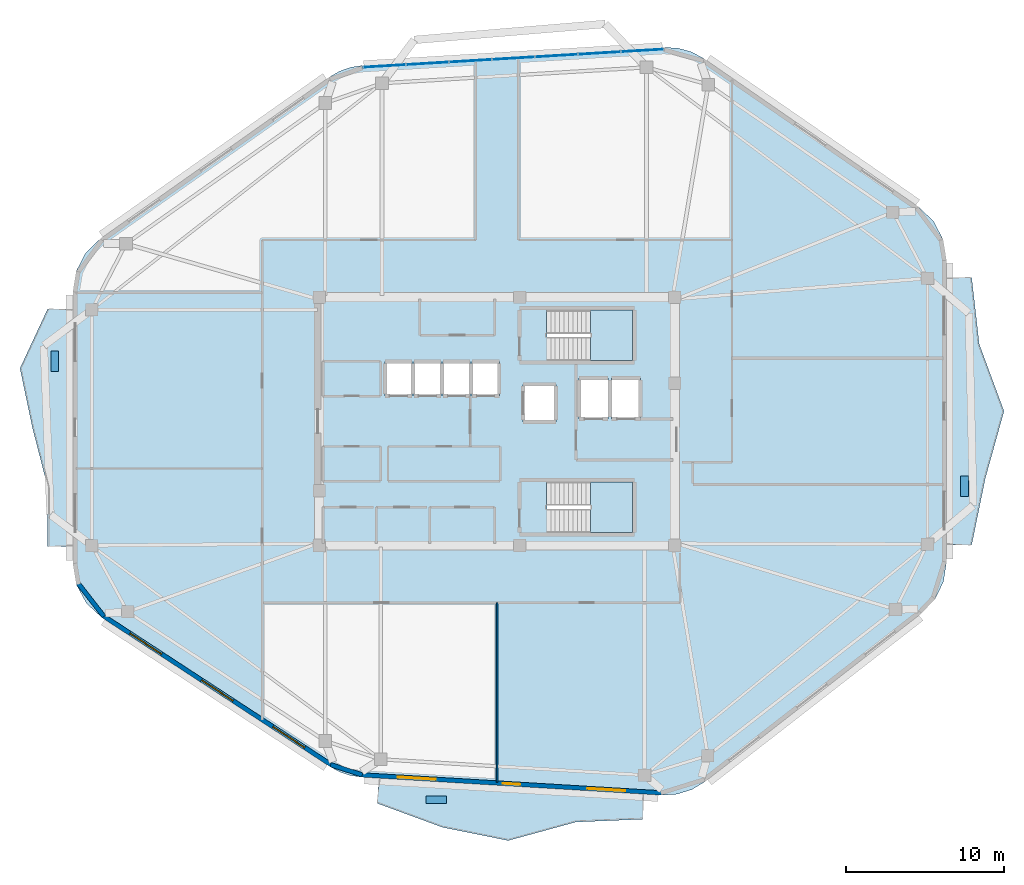
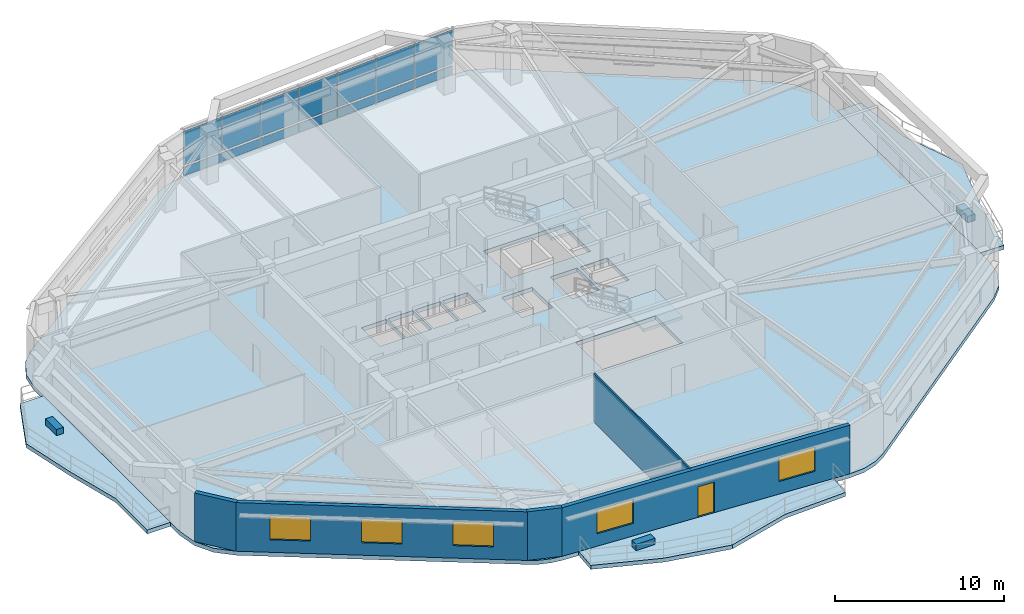
# One storey, part 5 of 12: 17 plates, 6 slabs, 5 walls, 5 windows, 1 door, 6 openings, 3 elements without a shape of their own.
"""IFC4 building model written with IfcOpenShell, lengths in metres."""

from ifc_helpers import new_model, si_unit, direction, frame, frame_2d, origin, origin_2d, place, context, subcontext, project, spatial, polyline, rectangle, outline, extrude, material, layer, layer_set, type_object, element, fill, aggregate, save


model = new_model("IFC4")

# Units and contexts
model_context = context("Model", 3, precision=1e-05, world=origin(), true_north=direction((0.0, 1.0)))
body_context = subcontext(model_context, "Body", "Model", "MODEL_VIEW")
ifc_project = project(units=[si_unit("LENGTHUNIT", "METRE"), si_unit("AREAUNIT", "SQUARE_METRE"), si_unit("VOLUMEUNIT", "CUBIC_METRE"), si_unit("PLANEANGLEUNIT", "RADIAN"), si_unit("MASSUNIT", "GRAM", prefix="KILO")], contexts=[model_context])

# Site, building, storey
site_placement = place(None, origin())
site = spatial("IfcSite", under=ifc_project, at=site_placement, CompositionType="ELEMENT")
building_placement = place(site_placement, origin())
building = spatial("IfcBuilding", under=site, at=building_placement, Name="Zulverin Broadcast Headquarters", CompositionType="ELEMENT")
storey_placement = place(building_placement, frame((0.0, 0.0, 263.0)))
storey = spatial("IfcBuildingStorey", under=building, at=storey_placement, Name="L67", CompositionType="ELEMENT", Elevation=263.0)

# Curtain wall, plates
ifc_material_1 = material(Name="High-zone solar-control unitised curtain wall", Category="aluminium")
curtain_wall_type = type_object("IfcCurtainWallType", Name="CW-TWR-UPP", PredefinedType="USERDEFINED", material=ifc_material_1)
curtain_wall_placement = place(storey_placement, origin())
curtain_wall = element("IfcCurtainWall", 1, at=curtain_wall_placement, inside=storey, type_object=curtain_wall_type, Name="L67 Unitised Curtain Wall CW-L67-E5", ObjectType="UNITISED CURTAIN WALL", PredefinedType="USERDEFINED")
ifc_material_2 = material(Name="Low-E double-glazed pale-silver vision glass", Category="glass")
ifc_layer_1 = layer(ifc_material_2, 0.035888671875, Name="Low-E double-glazed pale-silver vision glass", Category="glass")
ifc_layer_set_1 = layer_set([ifc_layer_1], Name="Low-E double-glazed pale-silver vision glass")
plate_type_1 = type_object("IfcPlateType", Name="CW-PNL-GLZ", PredefinedType="CURTAIN_PANEL", material=ifc_layer_set_1)
plate_1_placement = place(storey_placement, frame((46.201904296875, 48.713623046875, 0.9072265625), z_axis=(0.0, 0.0, 1.0), x_axis=(-0.99820257679, -0.059930090026, 0.0)))
plate_1 = element("IfcPlate", 2, at=plate_1_placement, type_object=plate_type_1, Name="CW-L67-E5 Vision Panel 00", PredefinedType="CURTAIN_PANEL", context=body_context, shape_type="SweptSolid", body=[
    extrude(rectangle(XDim=2.690185546875, YDim=0.035888671875, at=origin_2d()), origin(), (0.0, 0.0, 1.0), 2.462646484375),
])
plate_2_placement = place(storey_placement, frame((43.476806640625, 48.550048828125, 0.9072265625), z_axis=(0.0, 0.0, 1.0), x_axis=(-0.99820257679, -0.059930090026, 0.0)))
plate_2 = element("IfcPlate", 3, at=plate_2_placement, type_object=plate_type_1, Name="CW-L67-E5 Vision Panel 01", PredefinedType="CURTAIN_PANEL", context=body_context, shape_type="SweptSolid", body=[
    extrude(rectangle(XDim=2.690185546875, YDim=0.035888671875, at=origin_2d()), origin(), (0.0, 0.0, 1.0), 2.462646484375),
])
plate_3_placement = place(storey_placement, frame((40.751708984375, 48.386474609375, 0.9072265625), z_axis=(0.0, 0.0, 1.0), x_axis=(-0.99820257679, -0.059930090026, 0.0)))
plate_3 = element("IfcPlate", 4, at=plate_3_placement, type_object=plate_type_1, Name="CW-L67-E5 Vision Panel 02", PredefinedType="CURTAIN_PANEL", context=body_context, shape_type="SweptSolid", body=[
    extrude(rectangle(XDim=2.690185546875, YDim=0.035888671875, at=origin_2d()), origin(), (0.0, 0.0, 1.0), 2.462646484375),
])
plate_4_placement = place(storey_placement, frame((38.0263671875, 48.222900390625, 0.9072265625), z_axis=(0.0, 0.0, 1.0), x_axis=(-0.99820257679, -0.059930090026, 0.0)))
plate_4 = element("IfcPlate", 5, at=plate_4_placement, type_object=plate_type_1, Name="CW-L67-E5 Vision Panel 03", PredefinedType="CURTAIN_PANEL", context=body_context, shape_type="SweptSolid", body=[
    extrude(rectangle(XDim=2.690185546875, YDim=0.035888671875, at=origin_2d()), origin(), (0.0, 0.0, 1.0), 2.462646484375),
])
plate_5_placement = place(storey_placement, frame((35.301025390625, 48.05908203125, 0.9072265625), z_axis=(0.0, 0.0, 1.0), x_axis=(-0.99820257679, -0.059930090026, 0.0)))
plate_5 = element("IfcPlate", 6, at=plate_5_placement, type_object=plate_type_1, Name="CW-L67-E5 Vision Panel 04", PredefinedType="CURTAIN_PANEL", context=body_context, shape_type="SweptSolid", body=[
    extrude(rectangle(XDim=2.690185546875, YDim=0.035888671875, at=origin_2d()), origin(), (0.0, 0.0, 1.0), 2.462646484375),
])
plate_6_placement = place(storey_placement, frame((32.575927734375, 47.8955078125, 0.9072265625), z_axis=(0.0, 0.0, 1.0), x_axis=(-0.99820257679, -0.059930090026, 0.0)))
plate_6 = element("IfcPlate", 7, at=plate_6_placement, type_object=plate_type_1, Name="CW-L67-E5 Vision Panel 05", PredefinedType="CURTAIN_PANEL", context=body_context, shape_type="SweptSolid", body=[
    extrude(rectangle(XDim=2.690185546875, YDim=0.035888671875, at=origin_2d()), origin(), (0.0, 0.0, 1.0), 2.462646484375),
])
plate_7_placement = place(storey_placement, frame((29.8505859375, 47.73193359375, 0.9072265625), z_axis=(0.0, 0.0, 1.0), x_axis=(-0.99820257679, -0.059930090026, 0.0)))
plate_7 = element("IfcPlate", 8, at=plate_7_placement, type_object=plate_type_1, Name="CW-L67-E5 Vision Panel 06", PredefinedType="CURTAIN_PANEL", context=body_context, shape_type="SweptSolid", body=[
    extrude(rectangle(XDim=2.690185546875, YDim=0.035888671875, at=origin_2d()), origin(), (0.0, 0.0, 1.0), 2.462646484375),
])
ifc_material_3 = material(Name="Insulated brushed pale-aluminium spandrel cassette", Category="aluminium")
ifc_layer_2 = layer(ifc_material_3, 0.050048828125, Name="Insulated brushed pale-aluminium spandrel cassette", Category="aluminium")
ifc_layer_set_2 = layer_set([ifc_layer_2], Name="Insulated brushed pale-aluminium spandrel cassette")
plate_type_2 = type_object("IfcPlateType", Name="CW-PNL-SPN", PredefinedType="CURTAIN_PANEL", material=ifc_layer_set_2)
plate_8_placement = place(storey_placement, frame((46.201904296875, 48.713623046875, 0.14013671875), z_axis=(0.0, 0.0, 1.0), x_axis=(-0.99820257679, -0.059930090026, 0.0)))
plate_8 = element("IfcPlate", 9, at=plate_8_placement, type_object=plate_type_2, Name="CW-L67-E5 Spandrel Cassette 00", PredefinedType="CURTAIN_PANEL", context=body_context, shape_type="SweptSolid", body=[
    extrude(rectangle(XDim=2.690185546875, YDim=0.050048828125, at=origin_2d()), origin(), (0.0, 0.0, 1.0), 0.637451171875),
])
plate_9_placement = place(storey_placement, frame((43.476806640625, 48.550048828125, 0.14013671875), z_axis=(0.0, 0.0, 1.0), x_axis=(-0.99820257679, -0.059930090026, 0.0)))
plate_9 = element("IfcPlate", 10, at=plate_9_placement, type_object=plate_type_2, Name="CW-L67-E5 Spandrel Cassette 01", PredefinedType="CURTAIN_PANEL", context=body_context, shape_type="SweptSolid", body=[
    extrude(rectangle(XDim=2.690185546875, YDim=0.050048828125, at=origin_2d()), origin(), (0.0, 0.0, 1.0), 0.637451171875),
])
plate_10_placement = place(storey_placement, frame((40.751708984375, 48.386474609375, 0.14013671875), z_axis=(0.0, 0.0, 1.0), x_axis=(-0.99820257679, -0.059930090026, 0.0)))
plate_10 = element("IfcPlate", 11, at=plate_10_placement, type_object=plate_type_2, Name="CW-L67-E5 Spandrel Cassette 02", PredefinedType="CURTAIN_PANEL", context=body_context, shape_type="SweptSolid", body=[
    extrude(rectangle(XDim=2.690185546875, YDim=0.050048828125, at=origin_2d()), origin(), (0.0, 0.0, 1.0), 0.637451171875),
])
plate_11_placement = place(storey_placement, frame((38.0263671875, 48.222900390625, 0.14013671875), z_axis=(0.0, 0.0, 1.0), x_axis=(-0.99820257679, -0.059930090026, 0.0)))
plate_11 = element("IfcPlate", 12, at=plate_11_placement, type_object=plate_type_2, Name="CW-L67-E5 Spandrel Cassette 03", PredefinedType="CURTAIN_PANEL", context=body_context, shape_type="SweptSolid", body=[
    extrude(rectangle(XDim=2.690185546875, YDim=0.050048828125, at=origin_2d()), origin(), (0.0, 0.0, 1.0), 0.637451171875),
])
plate_12_placement = place(storey_placement, frame((35.301025390625, 48.05908203125, 0.14013671875), z_axis=(0.0, 0.0, 1.0), x_axis=(-0.99820257679, -0.059930090026, 0.0)))
plate_12 = element("IfcPlate", 13, at=plate_12_placement, type_object=plate_type_2, Name="CW-L67-E5 Spandrel Cassette 04", PredefinedType="CURTAIN_PANEL", context=body_context, shape_type="SweptSolid", body=[
    extrude(rectangle(XDim=2.690185546875, YDim=0.050048828125, at=origin_2d()), origin(), (0.0, 0.0, 1.0), 0.637451171875),
])
plate_13_placement = place(storey_placement, frame((32.575927734375, 47.8955078125, 0.14013671875), z_axis=(0.0, 0.0, 1.0), x_axis=(-0.99820257679, -0.059930090026, 0.0)))
plate_13 = element("IfcPlate", 14, at=plate_13_placement, type_object=plate_type_2, Name="CW-L67-E5 Spandrel Cassette 05", PredefinedType="CURTAIN_PANEL", context=body_context, shape_type="SweptSolid", body=[
    extrude(rectangle(XDim=2.690185546875, YDim=0.050048828125, at=origin_2d()), origin(), (0.0, 0.0, 1.0), 0.637451171875),
])
plate_14_placement = place(storey_placement, frame((29.8505859375, 47.73193359375, 0.14013671875), z_axis=(0.0, 0.0, 1.0), x_axis=(-0.99820257679, -0.059930090026, 0.0)))
plate_14 = element("IfcPlate", 15, at=plate_14_placement, type_object=plate_type_2, Name="CW-L67-E5 Spandrel Cassette 06", PredefinedType="CURTAIN_PANEL", context=body_context, shape_type="SweptSolid", body=[
    extrude(rectangle(XDim=2.690185546875, YDim=0.050048828125, at=origin_2d()), origin(), (0.0, 0.0, 1.0), 0.637451171875),
])
aggregate(curtain_wall, [plate_8, plate_1, plate_9, plate_2, plate_10, plate_3, plate_11, plate_4, plate_12, plate_5, plate_13, plate_6, plate_14, plate_7])

# Plates
ifc_material_4 = material(Name="Precast concrete C45/55", Category="concrete")
ifc_layer_3 = layer(ifc_material_4, 0.449951171875, Name="Precast concrete C45/55", Category="concrete")
ifc_layer_set_3 = layer_set([ifc_layer_3], Name="Precast concrete C45/55")
plate_type_3 = type_object("IfcPlateType", Name="PT-01_PRECAST_GFRC_TREE_PLANTER", PredefinedType="USERDEFINED", material=ifc_layer_set_3)
for number, where, z_axis, x_axis, name in (
    (16, (66.64990234375, 21.0908203125, -0.0048828125), (0.0, 0.0, 1.0), (0.0, 1.0, 0.0), "L67 Precast GFRC Tree Planter BAL_E"),
    (17, (33.1337890625, 1.19873046875, -0.0048828125), (0.0, 0.0, 1.0), (1.0, 0.0, 0.0), "L67 Precast GFRC Tree Planter BAL_S"),
    (18, (8.949951171875, 29.0126953125, -0.0048828125), (0.0, 0.0, 1.0), (0.0, 1.0, 0.0), "L67 Precast GFRC Tree Planter BAL_W"),
):
    element("IfcPlate", number, at=place(storey_placement, frame(where, z_axis=z_axis, x_axis=x_axis)), inside=storey, type_object=plate_type_3, Name=name, ObjectType="PLANTER", PredefinedType="USERDEFINED", context=body_context, shape_type="SweptSolid", body=[
        extrude(rectangle(XDim=1.300048828125, YDim=0.5, at=origin_2d()), origin(), (0.0, 0.0, 1.0), 0.449951171875),
    ])

# Slabs
ifc_material_5 = material(Name="Concrete C40/50", Category="concrete")
ifc_layer_4 = layer(ifc_material_5, 0.2900390625, Name="Concrete C40/50", Category="concrete")
ifc_layer_set_4 = layer_set([ifc_layer_4], Name="Concrete C40/50")
slab_type_1 = type_object("IfcSlabType", Name="SLB-BAL-290", PredefinedType="FLOOR", material=ifc_layer_set_4)
slab_1_placement = place(storey_placement, frame((0.0, 0.0, -0.2900390625)))
element("IfcSlab", 19, at=slab_1_placement, inside=storey, type_object=slab_type_1, Name="L67 Cantilevered Planted Balcony Slab BAL_E", PredefinedType="FLOOR", context=body_context, shape_type="SweptSolid", body=[
    extrude(outline(polyline([(65.5, 34.32568359375), (65.5, 17.357666015625), (67.10009765625, 17.357666015625), (67.967529296875, 21.599609375), (69.14990234375, 25.841796875), (67.581298828125, 30.083740234375), (67.10009765625, 34.32568359375), (65.5, 34.32568359375)])), origin(), (0.0, 0.0, 1.0), 0.2900390625),
])
slab_2_placement = place(storey_placement, frame((0.0, 0.0, -0.2900390625)))
element("IfcSlab", 20, at=slab_2_placement, inside=storey, type_object=slab_type_1, Name="L67 Cantilevered Planted Balcony Slab BAL_S", PredefinedType="FLOOR", context=body_context, shape_type="SweptSolid", body=[
    extrude(outline(polyline([(46.32958984375, 1.55859375), (29.500244140625, 2.56884765625), (29.404296875, 0.9716796875), (33.53564453125, -0.54736328125), (37.707763671875, -1.388671875), (42.000732421875, -0.21435546875), (46.233642578125, -0.03857421875), (46.32958984375, 1.55859375)])), origin(), (0.0, 0.0, 1.0), 0.2900390625),
])
slab_3_placement = place(storey_placement, frame((0.0, 0.0, -0.2900390625)))
element("IfcSlab", 21, at=slab_3_placement, inside=storey, type_object=slab_type_1, Name="L67 Cantilevered Planted Balcony Slab BAL_W", PredefinedType="FLOOR", context=body_context, shape_type="SweptSolid", body=[
    extrude(outline(polyline([(10.10009765625, 17.2685546875), (10.10009765625, 32.3251953125), (8.5, 32.3251953125), (6.74609375, 28.56103515625), (7.53271484375, 24.797119140625), (8.5, 21.03271484375), (8.5, 17.2685546875), (10.10009765625, 17.2685546875)])), origin(), (0.0, 0.0, 1.0), 0.2900390625),
])

# Stair, slab
stair_type = type_object("IfcStairType", Name="ST-CORE-1500", PredefinedType="HALF_TURN_STAIR", material=ifc_material_5)
stair_1_placement = place(storey_placement, origin())
stair_1 = element("IfcStair", 22, at=stair_1_placement, inside=storey, type_object=stair_type, Name="L67 Core Exit Stair ST-1", PredefinedType="HALF_TURN_STAIR")
ifc_layer_5 = layer(ifc_material_5, 0.199951171875, Name="Concrete C40/50", Category="concrete")
ifc_layer_set_5 = layer_set([ifc_layer_5], Name="Concrete C40/50")
slab_type_2 = type_object("IfcSlabType", Name="SLB-ST-LND200", PredefinedType="LANDING", material=ifc_layer_set_5)
slab_4_placement = place(storey_placement, frame((0.0, 0.0, 1.699951171875)))
slab_4 = element("IfcSlab", 23, at=slab_4_placement, type_object=slab_type_2, Name="ST-1 landing 1", PredefinedType="LANDING", context=body_context, shape_type="SweptSolid", body=[
    extrude(outline(polyline([(42.929931640625, 29.050048828125), (45.60009765625, 29.050048828125), (45.60009765625, 32.25), (42.929931640625, 32.25), (42.929931640625, 29.050048828125)])), origin(), (0.0, 0.0, 1.0), 0.199951171875),
])
aggregate(stair_1, [slab_4])

stair_2_placement = place(storey_placement, origin())
stair_2 = element("IfcStair", 24, at=stair_2_placement, inside=storey, type_object=stair_type, Name="L67 Core Exit Stair ST-2", PredefinedType="HALF_TURN_STAIR")
slab_5_placement = place(storey_placement, frame((0.0, 0.0, 1.699951171875)))
slab_5 = element("IfcSlab", 25, at=slab_5_placement, type_object=slab_type_2, Name="ST-2 landing 1", PredefinedType="LANDING", context=body_context, shape_type="SweptSolid", body=[
    extrude(outline(polyline([(42.929931640625, 18.14990234375), (45.60009765625, 18.14990234375), (45.60009765625, 21.35009765625), (42.929931640625, 21.35009765625), (42.929931640625, 18.14990234375)])), origin(), (0.0, 0.0, 1.0), 0.199951171875),
])
aggregate(stair_2, [slab_5])

# Slab
ifc_layer_6 = layer(ifc_material_5, 0.2900390625, Name="Concrete C40/50", Category="concrete")
ifc_layer_set_6 = layer_set([ifc_layer_6], Name="Concrete C40/50")
slab_type_3 = type_object("IfcSlabType", Name="SLB-TWR-290", PredefinedType="FLOOR", material=ifc_layer_set_6)
slab_6_placement = place(storey_placement, frame((0.0, 0.0, -0.2900390625)))
element("IfcSlab", 26, at=slab_6_placement, inside=storey, type_object=slab_type_3, Name="L67 Main Structural Floor Slab", PredefinedType="FLOOR", context=body_context, shape_type="SweptSolid", body=[
    extrude(outline(polyline([(26.405029296875, 3.295166015625), (27.029296875, 2.96044921875), (27.70166015625, 2.738037109375), (28.402099609375, 2.634765625), (47.427490234375, 1.49267578125), (48.40869140625, 1.5517578125), (49.347412109375, 1.842529296875), (50.18994140625, 2.348388671875), (63.91650390625, 13.02099609375), (64.7685546875, 13.92041015625), (65.312744140625, 15.033203125), (65.5, 16.2578125), (65.5, 35.42578125), (65.289306640625, 36.723388671875), (64.6787109375, 37.887451171875), (63.73095703125, 38.798583984375), (50.13427734375, 48.1953125), (49.3359375, 48.625244140625), (48.462890625, 48.869140625), (47.557373046875, 48.915283203125), (28.48095703125, 47.77001953125), (27.73291015625, 47.655029296875), (27.0185546875, 47.404541015625), (26.362548828125, 47.027099609375), (11.8359375, 36.775146484375), (10.9052734375, 35.865478515625), (10.306396484375, 34.710205078125), (10.10009765625, 33.42529296875), (10.10009765625, 16.168701171875), (10.322021484375, 14.83740234375), (10.96435546875, 13.650390625), (11.957275390625, 12.736328125), (26.405029296875, 3.295166015625)]), holes=[polyline([(40.155029296875, 30.75), (40.130126953125, 30.75), (40.130126953125, 32.25), (45.60009765625, 32.25), (45.60009765625, 29.050048828125), (40.155029296875, 29.050048828125), (40.155029296875, 30.75)]), polyline([(40.155029296875, 19.85009765625), (40.130126953125, 19.85009765625), (40.130126953125, 21.35009765625), (45.60009765625, 21.35009765625), (45.60009765625, 18.14990234375), (40.155029296875, 18.14990234375), (40.155029296875, 19.85009765625)]), polyline([(29.89990234375, 26.800048828125), (31.6201171875, 26.800048828125), (31.6201171875, 29.0), (29.89990234375, 29.0), (29.89990234375, 26.800048828125)]), polyline([(31.739990234375, 26.800048828125), (33.4599609375, 26.800048828125), (33.4599609375, 29.0), (31.739990234375, 29.0), (31.739990234375, 26.800048828125)]), polyline([(33.580078125, 26.800048828125), (35.300048828125, 26.800048828125), (35.300048828125, 29.0), (33.580078125, 29.0), (33.580078125, 26.800048828125)]), polyline([(35.419921875, 26.800048828125), (37.139892578125, 26.800048828125), (37.139892578125, 29.0), (35.419921875, 29.0), (35.419921875, 26.800048828125)]), polyline([(42.199951171875, 25.35009765625), (44.050048828125, 25.35009765625), (44.050048828125, 27.949951171875), (42.199951171875, 27.949951171875), (42.199951171875, 25.35009765625)]), polyline([(44.25, 25.35009765625), (46.10009765625, 25.35009765625), (46.10009765625, 27.949951171875), (44.25, 27.949951171875), (44.25, 25.35009765625)]), polyline([(38.64990234375, 25.14990234375), (40.75, 25.14990234375), (40.75, 27.550048828125), (38.64990234375, 27.550048828125), (38.64990234375, 25.14990234375)])]), origin(), (0.0, 0.0, 1.0), 0.2900390625),
])

# Wall, openings, door, windows
ifc_material_6 = material(Name="Insulated pale-metal clad concrete spandrel C40/50", Category="concrete")
ifc_layer_7 = layer(ifc_material_6, 0.280029296875, Name="Insulated pale-metal clad concrete spandrel C40/50", Category="concrete")
ifc_layer_set_7 = layer_set([ifc_layer_7], Name="Insulated pale-metal clad concrete spandrel C40/50")
wall_type_1 = type_object("IfcWallType", Name="WL-EXT-280", PredefinedType="STANDARD", material=ifc_layer_set_7)
wall_1_placement = place(storey_placement, frame((28.41064453125, 2.7744140625, 0.0), z_axis=(0.0, 0.0, 1.0), x_axis=(0.998203068368, -0.059921901676, 0.0)))
wall_1 = element("IfcWall", 27, at=wall_1_placement, inside=storey, type_object=wall_type_1, Name="L67 Pale-Metal Clad Spandrel Wall 1", PredefinedType="STANDARD", context=body_context, shape_type="SweptSolid", body=[
    extrude(rectangle(XDim=19.0595703125, YDim=0.280029296875, at=frame_2d((9.52978515625, 0.0))), origin(), (0.0, 0.0, 1.0), 3.510009765625),
])
opening_1_placement = place(wall_1_placement, frame((8.979736328125, 0.0, 0.0)))
opening_1 = element("IfcOpeningElement", 28, at=opening_1_placement, cuts=wall_1, Name="Opening D-L67-TR1", PredefinedType="OPENING", context=body_context, shape_type="SweptSolid", body=[
    extrude(rectangle(XDim=1.10009765625, YDim=2.199951171875, at=frame_2d((0.550048828125, 1.10009765625))), frame((0.0, 0.14990234375, 0.0), z_axis=(0.0, -1.0, 0.0), x_axis=(1.0, 0.0, 0.0)), (0.0, 0.0, 1.0), 0.300048828125),
])
opening_2_placement = place(wall_1_placement, frame((2.309814453125, 0.0, 0.89990234375)))
opening_2 = element("IfcOpeningElement", 29, at=opening_2_placement, cuts=wall_1, Name="Opening W-L67-E11", PredefinedType="OPENING", context=body_context, shape_type="SweptSolid", body=[
    extrude(rectangle(XDim=2.39990234375, YDim=1.75, at=frame_2d((1.199951171875, 0.875))), frame((0.0, 0.14990234375, 0.0), z_axis=(0.0, -1.0, 0.0), x_axis=(1.0, 0.0, 0.0)), (0.0, 0.0, 1.0), 0.300048828125),
])
opening_3_placement = place(wall_1_placement, frame((14.349609375, 0.0, 0.89990234375)))
opening_3 = element("IfcOpeningElement", 30, at=opening_3_placement, cuts=wall_1, Name="Opening W-L67-E12", PredefinedType="OPENING", context=body_context, shape_type="SweptSolid", body=[
    extrude(rectangle(XDim=2.39990234375, YDim=1.75, at=frame_2d((1.199951171875, 0.875))), frame((0.0, 0.14990234375, 0.0), z_axis=(0.0, -1.0, 0.0), x_axis=(1.0, 0.0, 0.0)), (0.0, 0.0, 1.0), 0.300048828125),
])
ifc_material_7 = material(Name="Thermally broken aluminium glazed", Category="aluminium")
door_type = type_object("IfcDoorType", Name="DR-TERR-1100", OperationType="SINGLE_SWING_RIGHT", PredefinedType="DOOR", material=ifc_material_7)
door_placement = place(opening_1_placement, origin())
door = element("IfcDoor", 31, at=door_placement, inside=storey, type_object=door_type, Name="L67 Planted Terrace Glazed Access Door 1", OperationType="SINGLE_SWING_RIGHT", OverallHeight=2.199951171875, OverallWidth=1.10009765625, PredefinedType="DOOR", context=body_context, shape_type="SweptSolid", body=[
    extrude(rectangle(XDim=1.10009765625, YDim=2.199951171875, at=frame_2d((0.550048828125, 1.10009765625))), frame((0.0, 0.02490234375, 0.0), z_axis=(0.0, -1.0, 0.0), x_axis=(1.0, 0.0, 0.0)), (0.0, 0.0, 1.0), 0.050048828125),
])
fill(opening_1, door)
ifc_material_8 = material(Name="Pale anodized aluminium frame with solar-control low-E double glazing", Category="aluminium")
window_type = type_object("IfcWindowType", Name="WIN-RIB-2400", PartitioningType="SINGLE_PANEL", PredefinedType="WINDOW", material=ifc_material_8)
window_1_placement = place(opening_2_placement, origin())
window_1 = element("IfcWindow", 32, at=window_1_placement, inside=storey, type_object=window_type, Name="L67 Ribbon Glazing Window 1 1", OverallHeight=1.75, OverallWidth=2.39990234375, PartitioningType="SINGLE_PANEL", PredefinedType="WINDOW", context=body_context, shape_type="SweptSolid", body=[
    extrude(rectangle(XDim=2.39990234375, YDim=1.75, at=frame_2d((1.199951171875, 0.875))), frame((0.0, 0.030029296875, 0.0), z_axis=(0.0, -1.0, 0.0), x_axis=(1.0, 0.0, 0.0)), (0.0, 0.0, 1.0), 0.06005859375),
])
fill(opening_2, window_1)
window_2_placement = place(opening_3_placement, origin())
window_2 = element("IfcWindow", 33, at=window_2_placement, inside=storey, type_object=window_type, Name="L67 Ribbon Glazing Window 1 2", OverallHeight=1.75, OverallWidth=2.39990234375, PartitioningType="SINGLE_PANEL", PredefinedType="WINDOW", context=body_context, shape_type="SweptSolid", body=[
    extrude(rectangle(XDim=2.39990234375, YDim=1.75, at=frame_2d((1.199951171875, 0.875))), frame((0.0, 0.030029296875, 0.0), z_axis=(0.0, -1.0, 0.0), x_axis=(1.0, 0.0, 0.0)), (0.0, 0.0, 1.0), 0.06005859375),
])
fill(opening_3, window_2)

# Wall, openings, windows
wall_2_placement = place(storey_placement, frame((12.03369140625, 12.853515625, 0.0), z_axis=(0.0, 0.0, 1.0), x_axis=(0.837118352984, -0.547021812269, 0.0)))
wall_2 = element("IfcWall", 34, at=wall_2_placement, inside=storey, type_object=wall_type_1, Name="L67 Pale-Metal Clad Spandrel Wall 8", PredefinedType="STANDARD", context=body_context, shape_type="SweptSolid", body=[
    extrude(rectangle(XDim=17.25927734375, YDim=0.280029296875, at=frame_2d((8.629638671875, 0.0))), origin(), (0.0, 0.0, 1.0), 3.510009765625),
])
opening_4_placement = place(wall_2_placement, frame((2.010009765625, 0.0, 0.89990234375)))
opening_4 = element("IfcOpeningElement", 35, at=opening_4_placement, cuts=wall_2, Name="Opening W-L67-E81", PredefinedType="OPENING", context=body_context, shape_type="SweptSolid", body=[
    extrude(rectangle(XDim=2.39990234375, YDim=1.75, at=frame_2d((1.199951171875, 0.875))), frame((0.0, 0.14990234375, 0.0), z_axis=(0.0, -1.0, 0.0), x_axis=(1.0, 0.0, 0.0)), (0.0, 0.0, 1.0), 0.300048828125),
])
opening_5_placement = place(wall_2_placement, frame((7.4296875, 0.0, 0.89990234375)))
opening_5 = element("IfcOpeningElement", 36, at=opening_5_placement, cuts=wall_2, Name="Opening W-L67-E82", PredefinedType="OPENING", context=body_context, shape_type="SweptSolid", body=[
    extrude(rectangle(XDim=2.39990234375, YDim=1.75, at=frame_2d((1.199951171875, 0.875))), frame((0.0, 0.14990234375, 0.0), z_axis=(0.0, -1.0, 0.0), x_axis=(1.0, 0.0, 0.0)), (0.0, 0.0, 1.0), 0.300048828125),
])
opening_6_placement = place(wall_2_placement, frame((12.849365234375, 0.0, 0.89990234375)))
opening_6 = element("IfcOpeningElement", 37, at=opening_6_placement, cuts=wall_2, Name="Opening W-L67-E83", PredefinedType="OPENING", context=body_context, shape_type="SweptSolid", body=[
    extrude(rectangle(XDim=2.39990234375, YDim=1.75, at=frame_2d((1.199951171875, 0.875))), frame((0.0, 0.14990234375, 0.0), z_axis=(0.0, -1.0, 0.0), x_axis=(1.0, 0.0, 0.0)), (0.0, 0.0, 1.0), 0.300048828125),
])
window_3_placement = place(opening_4_placement, origin())
window_3 = element("IfcWindow", 38, at=window_3_placement, inside=storey, type_object=window_type, Name="L67 Ribbon Glazing Window 8 1", OverallHeight=1.75, OverallWidth=2.39990234375, PartitioningType="SINGLE_PANEL", PredefinedType="WINDOW", context=body_context, shape_type="SweptSolid", body=[
    extrude(rectangle(XDim=2.39990234375, YDim=1.75, at=frame_2d((1.199951171875, 0.875))), frame((0.0, 0.030029296875, 0.0), z_axis=(0.0, -1.0, 0.0), x_axis=(1.0, 0.0, 0.0)), (0.0, 0.0, 1.0), 0.06005859375),
])
fill(opening_4, window_3)
window_4_placement = place(opening_5_placement, origin())
window_4 = element("IfcWindow", 39, at=window_4_placement, inside=storey, type_object=window_type, Name="L67 Ribbon Glazing Window 8 2", OverallHeight=1.75, OverallWidth=2.39990234375, PartitioningType="SINGLE_PANEL", PredefinedType="WINDOW", context=body_context, shape_type="SweptSolid", body=[
    extrude(rectangle(XDim=2.39990234375, YDim=1.75, at=frame_2d((1.199951171875, 0.875))), frame((0.0, 0.030029296875, 0.0), z_axis=(0.0, -1.0, 0.0), x_axis=(1.0, 0.0, 0.0)), (0.0, 0.0, 1.0), 0.06005859375),
])
fill(opening_5, window_4)
window_5_placement = place(opening_6_placement, origin())
window_5 = element("IfcWindow", 40, at=window_5_placement, inside=storey, type_object=window_type, Name="L67 Ribbon Glazing Window 8 3", OverallHeight=1.75, OverallWidth=2.39990234375, PartitioningType="SINGLE_PANEL", PredefinedType="WINDOW", context=body_context, shape_type="SweptSolid", body=[
    extrude(rectangle(XDim=2.39990234375, YDim=1.75, at=frame_2d((1.199951171875, 0.875))), frame((0.0, 0.030029296875, 0.0), z_axis=(0.0, -1.0, 0.0), x_axis=(1.0, 0.0, 0.0)), (0.0, 0.0, 1.0), 0.06005859375),
])
fill(opening_6, window_5)

# Walls
wall_3_placement = place(storey_placement, frame((10.4326171875, 14.92333984375, 0.0), z_axis=(0.0, 0.0, 1.0), x_axis=(0.614181852676, -0.78916452774, 0.0)))
element("IfcWall", 41, at=wall_3_placement, inside=storey, type_object=wall_type_1, Name="L67 Wind-Shaped Corner Spandrel Wall 7-2", PredefinedType="STANDARD", context=body_context, shape_type="SweptSolid", body=[
    extrude(rectangle(XDim=2.662109375, YDim=0.280029296875, at=frame_2d((1.3310546875, 0.0))), origin(), (0.0, 0.0, 1.0), 3.510009765625),
])
wall_4_placement = place(storey_placement, frame((26.44921875, 3.427978515625, 0.0), z_axis=(0.0, 0.0, 1.0), x_axis=(0.949435039229, -0.313963542923, 0.0)))
element("IfcWall", 42, at=wall_4_placement, inside=storey, type_object=wall_type_1, Name="L67 Wind-Shaped Corner Spandrel Wall 8-1", PredefinedType="STANDARD", context=body_context, shape_type="SweptSolid", body=[
    extrude(rectangle(XDim=2.103515625, YDim=0.280029296875, at=frame_2d((1.0517578125, 0.0))), origin(), (0.0, 0.0, 1.0), 3.510009765625),
])
ifc_material_9 = material(Name="Fire-rated acoustic laminated glass screen", Category="glass")
ifc_layer_8 = layer(ifc_material_9, 0.10009765625, Name="Fire-rated acoustic laminated glass screen", Category="glass")
ifc_layer_set_8 = layer_set([ifc_layer_8], Name="Fire-rated acoustic laminated glass screen")
wall_type_2 = type_object("IfcWallType", Name="WL-GLAZ-100", PredefinedType="PARTITIONING", material=ifc_layer_set_8)
wall_5_placement = place(storey_placement, frame((37.0, 2.323486328125, 0.0), z_axis=(0.0, 0.0, 1.0), x_axis=(0.0, 1.0, 0.0)))
element("IfcWall", 43, at=wall_5_placement, inside=storey, type_object=wall_type_2, Name="L67 Room Partition Wall RP-05", PredefinedType="PARTITIONING", context=body_context, shape_type="SweptSolid", body=[
    extrude(rectangle(XDim=11.37646484375, YDim=0.10009765625, at=frame_2d((5.688232421875, 0.0))), origin(), (0.0, 0.0, 1.0), 3.510009765625),
])

save(model, "model.ifc")
